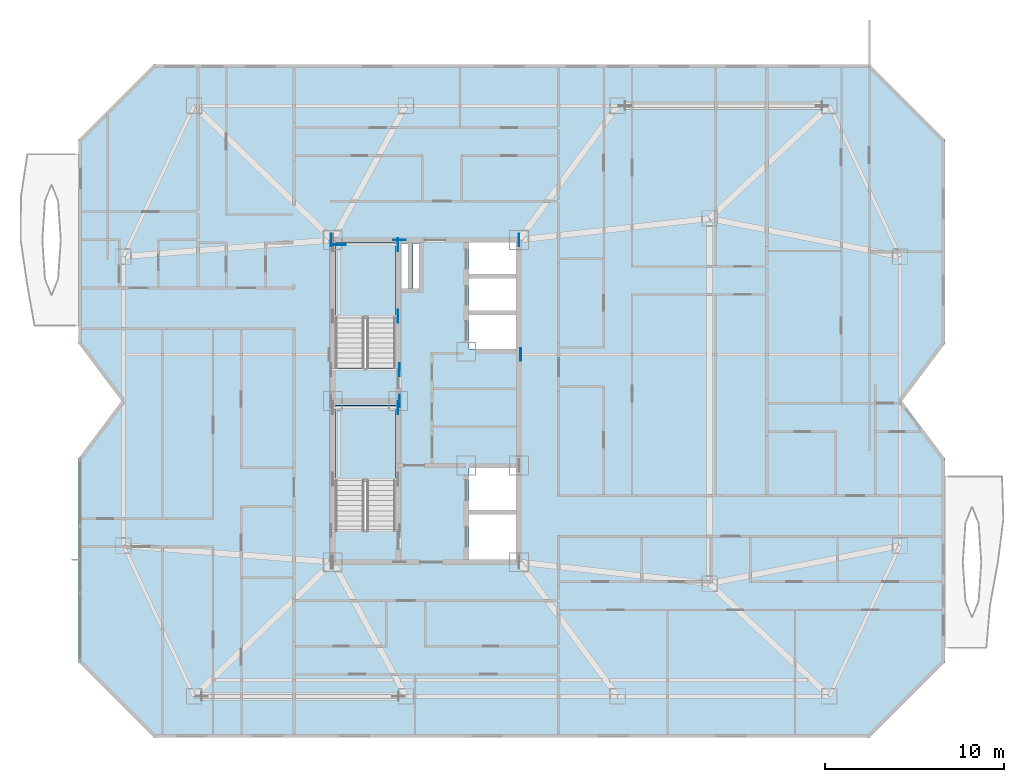
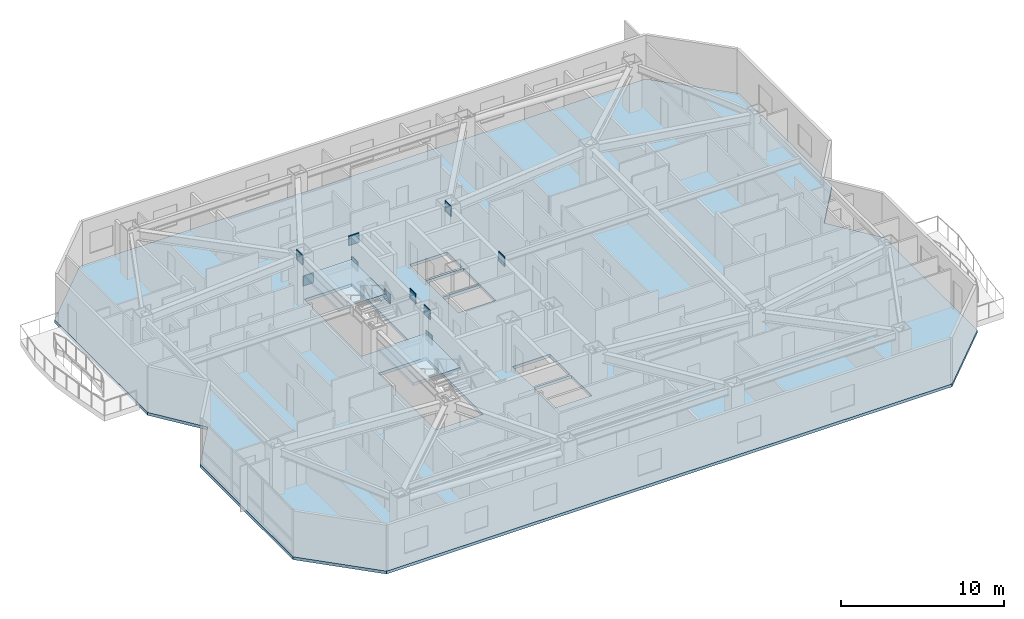
# One storey, part 6 of 16: 11 plates, 3 slabs, 2 elements without a shape of their own.
"""IFC4 building model written with IfcOpenShell, lengths in metres."""

from ifc_helpers import new_model, si_unit, direction, frame, origin, origin_2d, place, context, subcontext, project, spatial, polyline, rectangle, outline, extrude, material, layer, layer_set, type_object, element, aggregate, save


model = new_model("IFC4")

# Units and contexts
model_context = context("Model", 3, precision=1e-05, world=origin(), true_north=direction((0.0, 1.0)))
body_context = subcontext(model_context, "Body", "Model", "MODEL_VIEW")
ifc_project = project(units=[si_unit("LENGTHUNIT", "METRE"), si_unit("AREAUNIT", "SQUARE_METRE"), si_unit("VOLUMEUNIT", "CUBIC_METRE"), si_unit("PLANEANGLEUNIT", "RADIAN"), si_unit("MASSUNIT", "GRAM", prefix="KILO")], contexts=[model_context])

# Site, building, storey
site_placement = place(None, origin())
site = spatial("IfcSite", under=ifc_project, at=site_placement, CompositionType="ELEMENT")
building_placement = place(site_placement, origin())
building = spatial("IfcBuilding", under=site, at=building_placement, Name="Khamvora Tower", CompositionType="ELEMENT")
storey_placement = place(building_placement, frame((0.0, 0.0, 170.5)))
storey = spatial("IfcBuildingStorey", under=building, at=storey_placement, Name="L43", CompositionType="ELEMENT", Elevation=170.5)

# Plates
ifc_material_1 = material(Name="Steel S460", Category="steel")
ifc_layer_1 = layer(ifc_material_1, 0.034912109375)
ifc_layer_set_1 = layer_set([ifc_layer_1], Name="Steel S460")
plate_type = type_object("IfcPlateType", Name="PL-EMB-35", PredefinedType="SHEET", material=ifc_layer_set_1)
for number, where, z_axis, x_axis, name in (
    (1, (32.64990234375, 27.6298828125, 1.1337890625), (0.0, 0.0, 1.0), (1.0, 0.0, 0.0), "L43 core shear wall cast-in embed plate 1257"),
    (2, (32.64990234375, 32.735107421875, 1.1337890625), (0.0, 0.0, 1.0), (1.0, 0.0, 0.0), "L43 core shear wall cast-in embed plate 1259"),
    (3, (32.64990234375, 36.72998046875, 1.1337890625), (0.0, 0.0, 1.0), (1.0, 0.0, 0.0), "L43 core shear wall cast-in embed plate 1261"),
):
    element("IfcPlate", number, at=place(storey_placement, frame(where, z_axis=z_axis, x_axis=x_axis)), inside=storey, type_object=plate_type, Name=name, PredefinedType="SHEET", context=body_context, shape_type="SweptSolid", body=[
        extrude(rectangle(XDim=0.034912109375, YDim=0.719970703125, at=origin_2d()), origin(), (0.0, 0.0, 1.0), 0.719970703125),
    ])
plate_1_placement = place(storey_placement, frame((29.35009765625, 36.72998046875, 1.1337890625), z_axis=(0.0, 0.0, 1.0), x_axis=(1.0, 0.0, 0.0)))
element("IfcPlate", 4, at=plate_1_placement, inside=storey, type_object=plate_type, Name="L43 core shear wall cast-in embed plate 1262", PredefinedType="SHEET", context=body_context, shape_type="SweptSolid", body=[
    extrude(rectangle(XDim=0.719970703125, YDim=0.034912109375, at=origin_2d()), origin(), (0.0, 0.0, 1.0), 0.719970703125),
])
for number, where, z_axis, x_axis, name in (
    (5, (39.39990234375, 37.0, 2.72314453125), (0.0, 0.0, 1.0), (1.0, 0.0, 0.0), "L43 core shear wall cast-in embed plate 1266"),
    (6, (28.89990234375, 37.0, 2.80322265625), (0.0, 0.0, 1.0), (1.0, 0.0, 0.0), "L43 core shear wall cast-in embed plate 1269"),
    (7, (32.72998046875, 28.0, 2.80322265625), (0.0, 0.0, 1.0), (1.0, 0.0, 0.0), "L43 core shear wall cast-in embed plate 1271"),
):
    element("IfcPlate", number, at=place(storey_placement, frame(where, z_axis=z_axis, x_axis=x_axis)), inside=storey, type_object=plate_type, Name=name, PredefinedType="SHEET", context=body_context, shape_type="SweptSolid", body=[
        extrude(rectangle(XDim=0.034912109375, YDim=0.719970703125, at=origin_2d()), origin(), (0.0, 0.0, 1.0), 0.719970703125),
    ])
plate_2_placement = place(storey_placement, frame((32.72998046875, 37.0, 2.80322265625), z_axis=(0.0, 0.0, 1.0), x_axis=(1.0, 0.0, 0.0)))
element("IfcPlate", 8, at=plate_2_placement, inside=storey, type_object=plate_type, Name="L43 core shear wall cast-in embed plate 1272", PredefinedType="SHEET", context=body_context, shape_type="SweptSolid", body=[
    extrude(rectangle(XDim=0.719970703125, YDim=0.034912109375, at=origin_2d()), origin(), (0.0, 0.0, 1.0), 0.719970703125),
])
for number, where, z_axis, x_axis, name in (
    (9, (39.39990234375, 37.0, 2.80322265625), (0.0, 0.0, 1.0), (1.0, 0.0, 0.0), "L43 core shear wall cast-in embed plate 1275"),
    (10, (32.72998046875, 29.75, 2.94384765625), (0.0, 0.0, 1.0), (1.0, 0.0, 0.0), "L43 core shear wall cast-in embed plate 1279"),
    (11, (39.4990234375, 30.60009765625, 2.837890625), (0.0, 0.0, 1.0), (1.0, 0.0, 0.0), "L43 core shear wall cast-in embed plate 1281"),
):
    element("IfcPlate", number, at=place(storey_placement, frame(where, z_axis=z_axis, x_axis=x_axis)), inside=storey, type_object=plate_type, Name=name, PredefinedType="SHEET", context=body_context, shape_type="SweptSolid", body=[
        extrude(rectangle(XDim=0.034912109375, YDim=0.719970703125, at=origin_2d()), origin(), (0.0, 0.0, 1.0), 0.719970703125),
    ])

# Stair, slab
ifc_material_2 = material(Name="Concrete C40/50", Category="concrete")
stair_type_1 = type_object("IfcStairType", Name="STR-ST-01", PredefinedType="HALF_TURN_STAIR", material=ifc_material_2)
stair_1_placement = place(storey_placement, origin())
stair_1 = element("IfcStair", 12, at=stair_1_placement, inside=storey, type_object=stair_type_1, Name="L43 South Tower Exit Stair ST-01", PredefinedType="HALF_TURN_STAIR")
ifc_layer_2 = layer(ifc_material_2, 0.199951171875)
ifc_layer_set_2 = layer_set([ifc_layer_2], Name="Concrete C40/50")
slab_type_1 = type_object("IfcSlabType", Name="SLB-LND-200", PredefinedType="LANDING", material=ifc_layer_set_2)
slab_1_placement = place(storey_placement, frame((0.0, 0.0, 1.625)))
slab_1 = element("IfcSlab", 13, at=slab_1_placement, type_object=slab_type_1, Name="ST-01 landing 1", PredefinedType="LANDING", context=body_context, shape_type="SweptSolid", body=[
    extrude(outline(polyline([(32.5, 23.514892578125), (32.5, 27.75), (29.14990234375, 27.75), (29.14990234375, 23.514892578125), (32.5, 23.514892578125)])), origin(), (0.0, 0.0, 1.0), 0.199951171875),
])
aggregate(stair_1, [slab_1])

stair_type_2 = type_object("IfcStairType", Name="STR-ST-02", PredefinedType="HALF_TURN_STAIR", material=ifc_material_2)
stair_2_placement = place(storey_placement, origin())
stair_2 = element("IfcStair", 14, at=stair_2_placement, inside=storey, type_object=stair_type_2, Name="L43 North Tower Exit Stair ST-02", PredefinedType="HALF_TURN_STAIR")
slab_2_placement = place(storey_placement, frame((0.0, 0.0, 1.625)))
slab_2 = element("IfcSlab", 15, at=slab_2_placement, type_object=slab_type_1, Name="ST-02 landing 1", PredefinedType="LANDING", context=body_context, shape_type="SweptSolid", body=[
    extrude(outline(polyline([(32.5, 32.614990234375), (32.5, 36.85009765625), (29.14990234375, 36.85009765625), (29.14990234375, 32.614990234375), (32.5, 32.614990234375)])), origin(), (0.0, 0.0, 1.0), 0.199951171875),
])
aggregate(stair_2, [slab_2])

# Slab
ifc_material_3 = material(Name="Concrete C35/45", Category="concrete")
ifc_layer_3 = layer(ifc_material_3, 0.219970703125)
ifc_layer_set_3 = layer_set([ifc_layer_3], Name="Concrete C35/45")
slab_type_2 = type_object("IfcSlabType", Name="SLB-TYP-220", PredefinedType="FLOOR", material=ifc_layer_set_3)
slab_3_placement = place(storey_placement, frame((0.0, 0.0, -0.219970703125)))
element("IfcSlab", 16, at=slab_3_placement, inside=storey, type_object=slab_type_2, Name="L43 structural floor slab", PredefinedType="FLOOR", context=body_context, shape_type="SweptSolid", body=[
    extrude(outline(polyline([(19.0, 9.199951171875), (59.0, 9.199951171875), (63.199951171875, 13.39990234375), (63.199951171875, 24.800048828125), (60.800048828125, 28.0), (63.199951171875, 31.199951171875), (63.199951171875, 42.60009765625), (59.0, 46.800048828125), (19.0, 46.800048828125), (14.800048828125, 42.60009765625), (14.800048828125, 31.199951171875), (17.199951171875, 28.0), (14.800048828125, 24.800048828125), (14.800048828125, 13.39990234375), (19.0, 9.199951171875)]), holes=[polyline([(32.5, 20.760009765625), (32.5, 27.75), (29.14990234375, 27.75), (29.14990234375, 20.760009765625), (32.5, 20.760009765625)]), polyline([(32.5, 29.860107421875), (32.5, 36.85009765625), (29.14990234375, 36.85009765625), (29.14990234375, 29.860107421875), (32.5, 29.860107421875)]), polyline([(36.60009765625, 19.14990234375), (39.25, 19.14990234375), (39.25, 21.64990234375), (36.60009765625, 21.64990234375), (36.60009765625, 19.14990234375)]), polyline([(36.60009765625, 21.800048828125), (39.25, 21.800048828125), (39.25, 24.25), (36.60009765625, 24.25), (36.60009765625, 21.800048828125)]), polyline([(36.60009765625, 30.89990234375), (39.25, 30.89990234375), (39.25, 32.800048828125), (36.60009765625, 32.800048828125), (36.60009765625, 30.89990234375)]), polyline([(36.60009765625, 32.949951171875), (39.25, 32.949951171875), (39.25, 34.85009765625), (36.60009765625, 34.85009765625), (36.60009765625, 32.949951171875)]), polyline([(36.60009765625, 35.0), (39.25, 35.0), (39.25, 36.85009765625), (36.60009765625, 36.85009765625), (36.60009765625, 35.0)]), polyline([(32.800048828125, 34.300048828125), (33.199951171875, 34.300048828125), (33.199951171875, 36.800048828125), (32.800048828125, 36.800048828125), (32.800048828125, 34.300048828125)]), polyline([(33.47998046875, 34.300048828125), (33.820068359375, 34.300048828125), (33.820068359375, 36.800048828125), (33.47998046875, 36.800048828125), (33.47998046875, 34.300048828125)])]), origin(), (0.0, 0.0, 1.0), 0.219970703125),
])

save(model, "model.ifc")
